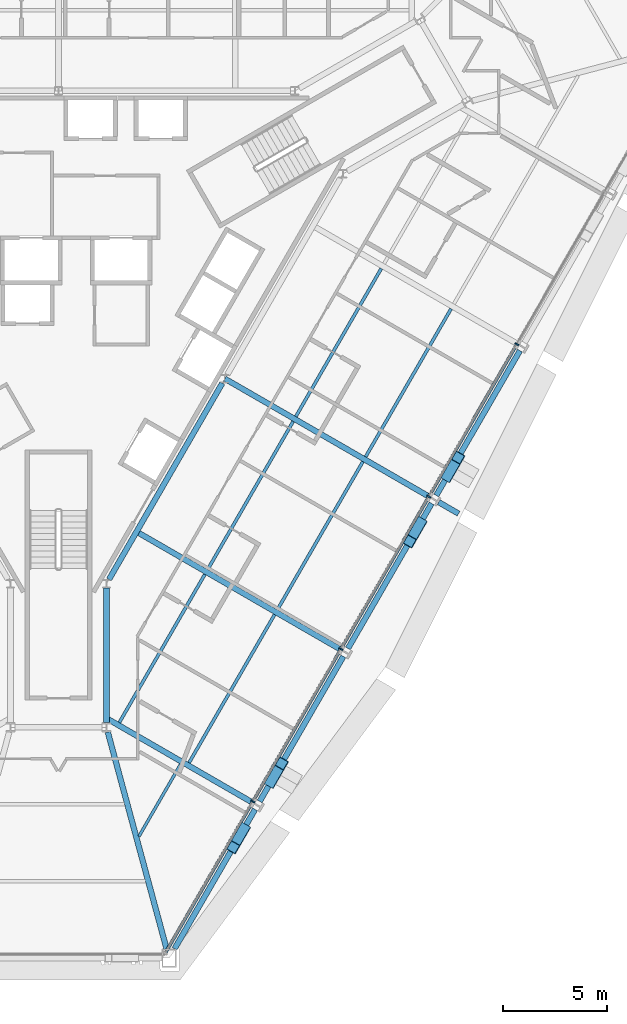
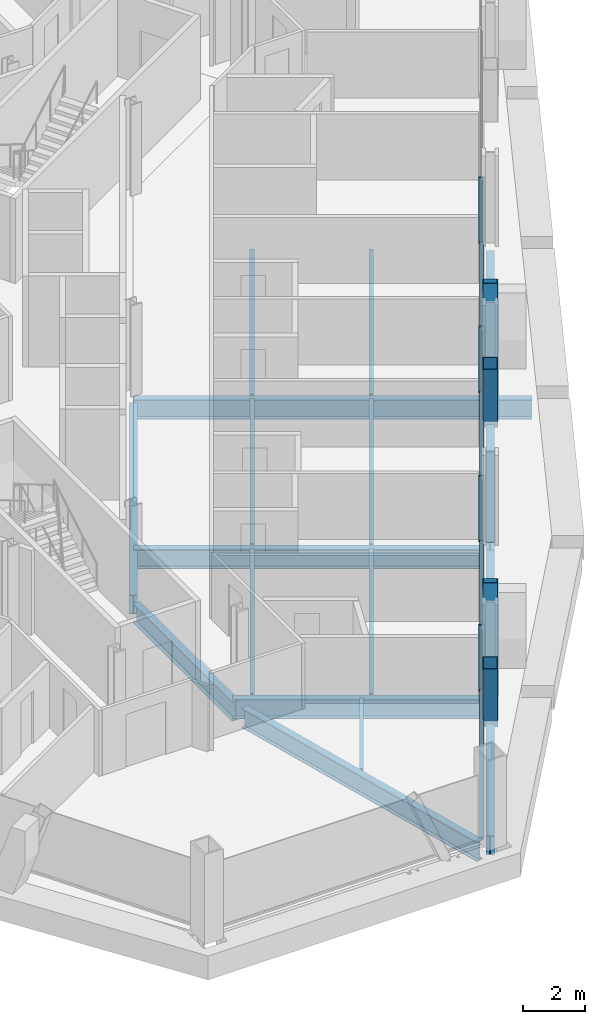
# One storey, part 4 of 17: 18 beams, 12 members, 1 element without a shape of its own.
"""IFC4 building model written with IfcOpenShell, lengths in metres."""

from ifc_helpers import new_model, si_unit, direction, frame, origin, origin_2d, place, context, subcontext, project, spatial, rectangle, hollow_rectangle, i_section, extrude, material, material_profile, profile_set, type_object, element, aggregate, save


model = new_model("IFC4")

# Units and contexts
model_context = context("Model", 3, precision=1e-05, world=origin(), true_north=direction((0.0, 1.0)))
body_context = subcontext(model_context, "Body", "Model", "MODEL_VIEW")
ifc_project = project(units=[si_unit("LENGTHUNIT", "METRE"), si_unit("AREAUNIT", "SQUARE_METRE"), si_unit("VOLUMEUNIT", "CUBIC_METRE"), si_unit("PLANEANGLEUNIT", "RADIAN"), si_unit("MASSUNIT", "GRAM", prefix="KILO")], contexts=[model_context])

# Site, building, storey
site_placement = place(None, origin())
site = spatial("IfcSite", under=ifc_project, at=site_placement, CompositionType="ELEMENT")
building_placement = place(site_placement, origin())
building = spatial("IfcBuilding", under=site, at=building_placement, Name="Verrane Prism Tower", CompositionType="ELEMENT")
storey_placement = place(building_placement, frame((0.0, 0.0, 40.39990234375)))
storey = spatial("IfcBuildingStorey", under=building, at=storey_placement, Name="L07", CompositionType="ELEMENT", Elevation=40.39990234375)

# Beams
ifc_material_1 = material(Name="Steel A992", Category="steel")
ifc_material_profile_1 = material_profile(ifc_material_1, i_section(OverallWidth=0.2666015625, OverallDepth=0.7568359375, WebThickness=0.013916015625, FlangeThickness=0.019287109375, FilletRadius=0.0166015625, at=origin_2d()), Name="W30x108")
ifc_profile_set_1 = profile_set([ifc_material_profile_1], Name="Steel A992")
beam_type_1 = type_object("IfcBeamType", Name="Core ring girder W30x108", PredefinedType="BEAM", material=ifc_profile_set_1)
beam_1_placement = place(storey_placement, frame((2.300048828125, -21.07275390625, -0.62841796875), z_axis=(0.0, 1.0, 0.0), x_axis=(-1.0, 0.0, 0.0)))
element("IfcBeam", 1, at=beam_1_placement, inside=storey, type_object=beam_type_1, Name="Core ring girder L07", PredefinedType="BEAM", context=body_context, shape_type="SweptSolid", body=[
    extrude(i_section(OverallWidth=0.2666015625, OverallDepth=0.7568359375, WebThickness=0.013916015625, FlangeThickness=0.019287109375, FilletRadius=0.0166015625, at=origin_2d()), origin(), (0.0, 0.0, 1.0), 6.4443359375),
])
beam_2_placement = place(storey_placement, frame((2.42041015625, -14.211669921875, -0.62841796875), z_axis=(0.500013103396, 0.866017838403, 0.0), x_axis=(-0.866017838403, 0.500013103396, 0.0)))
element("IfcBeam", 2, at=beam_2_placement, inside=storey, type_object=beam_type_1, Name="Core ring girder L07", PredefinedType="BEAM", context=body_context, shape_type="SweptSolid", body=[
    extrude(i_section(OverallWidth=0.2666015625, OverallDepth=0.7568359375, WebThickness=0.013916015625, FlangeThickness=0.019287109375, FilletRadius=0.0166015625, at=origin_2d()), origin(), (0.0, 0.0, 1.0), 10.858154296875),
])
ifc_material_2 = material(Name="Steel A992", Category="steel")
ifc_material_profile_2 = material_profile(ifc_material_2, i_section(OverallWidth=0.2666015625, OverallDepth=0.76708984375, WebThickness=0.014892578125, FlangeThickness=0.023681640625, FilletRadius=0.0166015625, at=origin_2d()), Name="W30x124")
ifc_profile_set_2 = profile_set([ifc_material_profile_2], Name="Steel A992")
beam_type_2 = type_object("IfcBeamType", Name="Corner girder W30x124", PredefinedType="BEAM", material=ifc_profile_set_2)
beam_3_placement = place(storey_placement, frame((5.177978515625, -31.909912109375, -0.603515625), z_axis=(-0.261780624044, 0.965127403442, 0.0), x_axis=(-0.965127403442, -0.261780624044, 0.0)))
element("IfcBeam", 3, at=beam_3_placement, inside=storey, type_object=beam_type_2, Name="Corner girder L07", PredefinedType="BEAM", context=body_context, shape_type="SweptSolid", body=[
    extrude(i_section(OverallWidth=0.2666015625, OverallDepth=0.76708984375, WebThickness=0.014892578125, FlangeThickness=0.023681640625, FilletRadius=0.0166015625, at=origin_2d()), origin(), (0.0, 0.0, 1.0), 10.7578125),
])

# Members
ifc_material_3 = material(Name="Steel A1085 Grade A", Category="steel")
ifc_material_profile_3 = material_profile(ifc_material_3, hollow_rectangle(XDim=0.508056640625, YDim=0.508056640625, WallThickness=0.025390625, InnerFilletRadius=0.0126953125, OuterFilletRadius=0.0380859375, at=origin_2d()), Name="HSS20x20x1")
ifc_profile_set_3 = profile_set([ifc_material_profile_3], Name="Steel A1085 Grade A")
member_type_1 = type_object("IfcMemberType", Name="Facade brace HSS20x20x1", PredefinedType="BRACE", material=ifc_profile_set_3)
member_1_placement = place(storey_placement, frame((8.8759765625, -26.171630859375, -0.242431640625), z_axis=(-0.159127349956, -0.275394963971, 0.948069670602), x_axis=(0.865851100168, -0.500301781265, 0.0)))
element("IfcMember", 4, at=member_1_placement, inside=storey, type_object=member_type_1, Name="Facade brace SE0 L07", PredefinedType="BRACE", context=body_context, shape_type="SweptSolid", body=[
    extrude(hollow_rectangle(XDim=0.508056640625, YDim=0.508056640625, WallThickness=0.025390625, InnerFilletRadius=0.0126953125, OuterFilletRadius=0.0380859375, at=origin_2d()), origin(), (0.0, 0.0, 1.0), 3.1728515625),
])
for number, where, z_axis, x_axis, name in (
    (5, (10.18408203125, -23.90673828125, -0.242431640625), (0.159110480568, 0.275750465356, 0.947969163965), (-0.866153397047, 0.499778243608, 0.0), "Facade brace SE1 L07"),
    (6, (17.3359375, -11.51318359375, -0.242431640625), (-0.159110480568, -0.275750465356, 0.947969163965), (0.866153397047, -0.499778243608, 0.0), "Facade brace SE2 L07"),
):
    element("IfcMember", number, at=place(storey_placement, frame(where, z_axis=z_axis, x_axis=x_axis)), inside=storey, type_object=member_type_1, Name=name, PredefinedType="BRACE", context=body_context, shape_type="SweptSolid", body=[
        extrude(hollow_rectangle(XDim=0.508056640625, YDim=0.508056640625, WallThickness=0.025390625, InnerFilletRadius=0.0126953125, OuterFilletRadius=0.0380859375, at=origin_2d()), origin(), (0.0, 0.0, 1.0), 3.173095703125),
    ])
member_2_placement = place(storey_placement, frame((18.64404296875, -9.248291015625, -0.242431640625), z_axis=(0.159127349956, 0.275394963971, 0.948069670602), x_axis=(-0.865851100168, 0.500301781265, 0.0)))
element("IfcMember", 7, at=member_2_placement, inside=storey, type_object=member_type_1, Name="Facade brace SE3 L07", PredefinedType="BRACE", context=body_context, shape_type="SweptSolid", body=[
    extrude(hollow_rectangle(XDim=0.508056640625, YDim=0.508056640625, WallThickness=0.025390625, InnerFilletRadius=0.0126953125, OuterFilletRadius=0.0380859375, at=origin_2d()), origin(), (0.0, 0.0, 1.0), 3.1728515625),
])

# Beams
ifc_material_4 = material(Name="Steel A992", Category="steel")
ifc_material_profile_4 = material_profile(ifc_material_4, i_section(OverallWidth=0.140380859375, OverallDepth=0.40380859375, WebThickness=0.007080078125, FlangeThickness=0.01123046875, FilletRadius=0.01025390625, at=origin_2d()), Name="W16x31")
ifc_profile_set_4 = profile_set([ifc_material_profile_4], Name="Steel A992")
beam_type_3 = type_object("IfcBeamType", Name="Floor beam W16x31", PredefinedType="BEAM", material=ifc_profile_set_4)
beam_4_placement = place(storey_placement, frame((3.85498046875, -26.52294921875, -0.36181640625), z_axis=(0.499985753801, 0.866033628675, 0.0), x_axis=(-0.866033628675, 0.499985753801, 0.0)))
element("IfcBeam", 8, at=beam_4_placement, inside=storey, type_object=beam_type_3, Name="Floor beam L07", PredefinedType="BEAM", context=body_context, shape_type="SweptSolid", body=[
    extrude(i_section(OverallWidth=0.140380859375, OverallDepth=0.40380859375, WebThickness=0.007080078125, FlangeThickness=0.01123046875, FilletRadius=0.01025390625, at=origin_2d()), origin(), (0.0, 0.0, 1.0), 3.986328125),
])
ifc_material_5 = material(Name="Steel A992", Category="steel")
ifc_material_profile_5 = material_profile(ifc_material_5, i_section(OverallWidth=0.15234375, OverallDepth=0.449462890625, WebThickness=0.007568359375, FlangeThickness=0.0107421875, FilletRadius=0.01025390625, at=origin_2d()), Name="W18x35")
ifc_profile_set_5 = profile_set([ifc_material_profile_5], Name="Steel A992")
beam_type_4 = type_object("IfcBeamType", Name="Floor beam W18x35", PredefinedType="BEAM", material=ifc_profile_set_5)
beam_5_placement = place(storey_placement, frame((6.255615234375, -22.997314453125, -0.384765625), z_axis=(0.499980301665, 0.866036776325, 0.0), x_axis=(-0.866036776325, 0.499980301665, 0.0)))
element("IfcBeam", 9, at=beam_5_placement, inside=storey, type_object=beam_type_4, Name="Floor beam L07", PredefinedType="BEAM", context=body_context, shape_type="SweptSolid", body=[
    extrude(i_section(OverallWidth=0.15234375, OverallDepth=0.449462890625, WebThickness=0.007568359375, FlangeThickness=0.0107421875, FilletRadius=0.01025390625, at=origin_2d()), origin(), (0.0, 0.0, 1.0), 8.196044921875),
])
beam_6_placement = place(storey_placement, frame((2.914306640625, -21.0703125, -0.384765625), z_axis=(0.499989744381, 0.866031324788, 0.0), x_axis=(-0.866031324788, 0.499989744381, 0.0)))
element("IfcBeam", 10, at=beam_6_placement, inside=storey, type_object=beam_type_4, Name="Floor beam L07", PredefinedType="BEAM", context=body_context, shape_type="SweptSolid", body=[
    extrude(i_section(OverallWidth=0.15234375, OverallDepth=0.449462890625, WebThickness=0.007568359375, FlangeThickness=0.0107421875, FilletRadius=0.01025390625, at=origin_2d()), origin(), (0.0, 0.0, 1.0), 8.196533203125),
])
for number, where, z_axis, x_axis, name in (
    (11, (10.486328125, -15.66748046875, -0.384765625), (0.499993199895, 0.866029329791, 0.0), (-0.866029329791, 0.499993199895, 0.0), "Floor beam L07"),
    (12, (7.145751953125, -13.740478515625, -0.384765625), (0.499993199895, 0.866029329791, 0.0), (-0.866029329791, 0.499993199895, 0.0), "Floor beam L07"),
):
    element("IfcBeam", number, at=place(storey_placement, frame(where, z_axis=z_axis, x_axis=x_axis)), inside=storey, type_object=beam_type_4, Name=name, PredefinedType="BEAM", context=body_context, shape_type="SweptSolid", body=[
        extrude(i_section(OverallWidth=0.15234375, OverallDepth=0.449462890625, WebThickness=0.007568359375, FlangeThickness=0.0107421875, FilletRadius=0.01025390625, at=origin_2d()), origin(), (0.0, 0.0, 1.0), 8.19580078125),
    ])
beam_7_placement = place(storey_placement, frame((14.7158203125, -8.337158203125, -0.384765625), z_axis=(0.499971080413, 0.866042099872, 0.0), x_axis=(-0.866042099872, 0.499971080413, 0.0)))
element("IfcBeam", 13, at=beam_7_placement, inside=storey, type_object=beam_type_4, Name="Floor beam L07", PredefinedType="BEAM", context=body_context, shape_type="SweptSolid", body=[
    extrude(i_section(OverallWidth=0.15234375, OverallDepth=0.449462890625, WebThickness=0.007568359375, FlangeThickness=0.0107421875, FilletRadius=0.01025390625, at=origin_2d()), origin(), (0.0, 0.0, 1.0), 8.1884765625),
])
beam_8_placement = place(storey_placement, frame((11.37158203125, -6.408203125, -0.384765625), z_axis=(0.500008883376, 0.866020274904, 0.0), x_axis=(-0.866020274904, 0.500008883376, 0.0)))
element("IfcBeam", 14, at=beam_8_placement, inside=storey, type_object=beam_type_4, Name="Floor beam L07", PredefinedType="BEAM", context=body_context, shape_type="SweptSolid", body=[
    extrude(i_section(OverallWidth=0.15234375, OverallDepth=0.449462890625, WebThickness=0.007568359375, FlangeThickness=0.0107421875, FilletRadius=0.01025390625, at=origin_2d()), origin(), (0.0, 0.0, 1.0), 8.189697265625),
])

# Curtain wall, members
ifc_material_6 = material(Name="Aluminium framed insulated glazing", Category="aluminium")
curtain_wall_type = type_object("IfcCurtainWallType", Name="Curtain wall CW-A 8400 module", PredefinedType="NOTDEFINED", material=ifc_material_6)
curtain_wall_placement = place(storey_placement, origin())
curtain_wall = element("IfcCurtainWall", 15, at=curtain_wall_placement, inside=storey, type_object=curtain_wall_type, Name="Glazed curtain wall south-east face L07", PredefinedType="NOTDEFINED")
ifc_material_7 = material(Name="Aluminium alloy 6063-T6", Category="aluminium")
ifc_material_profile_6 = material_profile(ifc_material_7, rectangle(XDim=0.199951171875, YDim=0.070068359375, at=origin_2d()), Name="Mullion 70x200 aluminium")
ifc_profile_set_6 = profile_set([ifc_material_profile_6], Name="Aluminium alloy 6063-T6")
member_type_2 = type_object("IfcMemberType", Name="Mullion 70x200 aluminium", PredefinedType="MULLION", material=ifc_profile_set_6)
member_3_placement = place(storey_placement, frame((9.311767578125, -24.853271484375, 0.0), z_axis=(0.0, 0.0, 1.0), x_axis=(-0.866025123598, 0.500000485297, 0.0)))
member_3 = element("IfcMember", 16, at=member_3_placement, type_object=member_type_2, Name="CW06.6 mullion 2", PredefinedType="MULLION", context=body_context, shape_type="SweptSolid", body=[
    extrude(rectangle(XDim=0.199951171875, YDim=0.070068359375, at=origin_2d()), origin(), (0.0, 0.0, 1.0), 2.613037109375),
])
member_4_placement = place(storey_placement, frame((13.52880859375, -17.54931640625, 0.0), z_axis=(0.0, 0.0, 1.0), x_axis=(-0.866025123598, 0.500000485297, 0.0)))
member_4 = element("IfcMember", 17, at=member_4_placement, type_object=member_type_2, Name="CW06.6 mullion 3", PredefinedType="MULLION", context=body_context, shape_type="SweptSolid", body=[
    extrude(rectangle(XDim=0.199951171875, YDim=0.070068359375, at=origin_2d()), origin(), (0.0, 0.0, 1.0), 2.613037109375),
])
member_5_placement = place(storey_placement, frame((17.74560546875, -10.24560546875, 0.0), z_axis=(0.0, 0.0, 1.0), x_axis=(-0.866025123598, 0.500000485297, 0.0)))
member_5 = element("IfcMember", 18, at=member_5_placement, type_object=member_type_2, Name="CW06.6 mullion 4", PredefinedType="MULLION", context=body_context, shape_type="SweptSolid", body=[
    extrude(rectangle(XDim=0.199951171875, YDim=0.070068359375, at=origin_2d()), origin(), (0.0, 0.0, 1.0), 2.613037109375),
])
member_6_placement = place(storey_placement, frame((21.962646484375, -2.941650390625, 0.0), z_axis=(0.0, 0.0, 1.0), x_axis=(-0.866025123598, 0.500000485297, 0.0)))
member_6 = element("IfcMember", 19, at=member_6_placement, type_object=member_type_2, Name="CW06.6 mullion 5", PredefinedType="MULLION", context=body_context, shape_type="SweptSolid", body=[
    extrude(rectangle(XDim=0.199951171875, YDim=0.070068359375, at=origin_2d()), origin(), (0.0, 0.0, 1.0), 2.613037109375),
])

# Beams
ifc_material_8 = material(Name="Steel A992", Category="steel")
ifc_material_profile_7 = material_profile(ifc_material_8, i_section(OverallWidth=0.2666015625, OverallDepth=0.76708984375, WebThickness=0.014892578125, FlangeThickness=0.023681640625, FilletRadius=0.0166015625, at=origin_2d()), Name="W30x124")
ifc_profile_set_7 = profile_set([ifc_material_profile_7], Name="Steel A992")
beam_type_5 = type_object("IfcBeamType", Name="Radial girder W30x124", PredefinedType="BEAM", material=ifc_profile_set_7)
beam_9_placement = place(storey_placement, frame((9.300048828125, -24.9072265625, -0.603515625), z_axis=(-0.866022616891, 0.50000482701, 0.0), x_axis=(-0.50000482701, -0.866022616891, 0.0)))
element("IfcBeam", 20, at=beam_9_placement, inside=storey, type_object=beam_type_5, Name="Radial girder L07", PredefinedType="BEAM", context=body_context, shape_type="SweptSolid", body=[
    extrude(i_section(OverallWidth=0.2666015625, OverallDepth=0.76708984375, WebThickness=0.014892578125, FlangeThickness=0.023681640625, FilletRadius=0.0166015625, at=origin_2d()), origin(), (0.0, 0.0, 1.0), 8.0830078125),
])
beam_10_placement = place(storey_placement, frame((13.530029296875, -17.577392578125, -0.603515625), z_axis=(-0.866021579651, 0.500006623535, 0.0), x_axis=(-0.500006623535, -0.866021579651, 0.0)))
element("IfcBeam", 21, at=beam_10_placement, inside=storey, type_object=beam_type_5, Name="Radial girder L07", PredefinedType="BEAM", context=body_context, shape_type="SweptSolid", body=[
    extrude(i_section(OverallWidth=0.2666015625, OverallDepth=0.76708984375, WebThickness=0.014892578125, FlangeThickness=0.023681640625, FilletRadius=0.0166015625, at=origin_2d()), origin(), (0.0, 0.0, 1.0), 11.303955078125),
])
beam_11_placement = place(storey_placement, frame((17.760009765625, -10.247314453125, -0.603515625), z_axis=(-0.866021191252, 0.500007296249, 0.0), x_axis=(-0.500007296249, -0.866021191252, 0.0)))
element("IfcBeam", 22, at=beam_11_placement, inside=storey, type_object=beam_type_5, Name="Radial girder L07", PredefinedType="BEAM", context=body_context, shape_type="SweptSolid", body=[
    extrude(i_section(OverallWidth=0.2666015625, OverallDepth=0.76708984375, WebThickness=0.014892578125, FlangeThickness=0.023681640625, FilletRadius=0.0166015625, at=origin_2d()), origin(), (0.0, 0.0, 1.0), 11.302001953125),
])
beam_12_placement = place(storey_placement, frame((18.21630859375, -10.5107421875, -0.603515625), z_axis=(0.866063652425, -0.499933745558, 0.0), x_axis=(0.499933745558, 0.866063652425, 0.0)))
element("IfcBeam", 23, at=beam_12_placement, inside=storey, type_object=beam_type_5, Name="Cantilever girder L07", PredefinedType="BEAM", context=body_context, shape_type="SweptSolid", body=[
    extrude(i_section(OverallWidth=0.2666015625, OverallDepth=0.76708984375, WebThickness=0.014892578125, FlangeThickness=0.023681640625, FilletRadius=0.0166015625, at=origin_2d()), origin(), (0.0, 0.0, 1.0), 1.100341796875),
])
ifc_material_9 = material(Name="Steel A992", Category="steel")
ifc_material_profile_8 = material_profile(ifc_material_9, i_section(OverallWidth=0.2666015625, OverallDepth=0.7568359375, WebThickness=0.013916015625, FlangeThickness=0.019287109375, FilletRadius=0.0166015625, at=origin_2d()), Name="W30x108")
ifc_profile_set_8 = profile_set([ifc_material_profile_8], Name="Steel A992")
beam_type_6 = type_object("IfcBeamType", Name="Spandrel beam W30x108", PredefinedType="SPANDREL", material=ifc_profile_set_8)
beam_13_placement = place(storey_placement, frame((5.56005859375, -31.909912109375, -0.538330078125), z_axis=(0.500332437573, 0.865833385769, 0.0), x_axis=(-0.865833385769, 0.500332437573, 0.0)))
element("IfcBeam", 24, at=beam_13_placement, inside=storey, type_object=beam_type_6, Name="Spandrel beam L07", PredefinedType="SPANDREL", context=body_context, shape_type="SweptSolid", body=[
    extrude(i_section(OverallWidth=0.2666015625, OverallDepth=0.7568359375, WebThickness=0.013916015625, FlangeThickness=0.019287109375, FilletRadius=0.0166015625, at=origin_2d()), origin(), (0.0, 0.0, 1.0), 7.713623046875),
])
for number, where, z_axis, x_axis, name in (
    (25, (9.640380859375, -24.8486328125, -0.538330078125), (0.499815553799, 0.866131867663, 0.0), (-0.866131867663, 0.499815553799, 0.0), "Spandrel beam L07"),
    (26, (13.87060546875, -17.5185546875, -0.538330078125), (0.499792719477, 0.86614504418, 0.0), (-0.86614504418, 0.499792719477, 0.0), "Spandrel beam L07"),
):
    element("IfcBeam", number, at=place(storey_placement, frame(where, z_axis=z_axis, x_axis=x_axis)), inside=storey, type_object=beam_type_6, Name=name, PredefinedType="SPANDREL", context=body_context, shape_type="SweptSolid", body=[
        extrude(i_section(OverallWidth=0.2666015625, OverallDepth=0.7568359375, WebThickness=0.013916015625, FlangeThickness=0.019287109375, FilletRadius=0.0166015625, at=origin_2d()), origin(), (0.0, 0.0, 1.0), 8.02099609375),
    ])
beam_14_placement = place(storey_placement, frame((18.1005859375, -10.188720703125, -0.538330078125), z_axis=(0.500320239717, 0.865840434335, 0.0), x_axis=(-0.865840434335, 0.500320239717, 0.0)))
element("IfcBeam", 27, at=beam_14_placement, inside=storey, type_object=beam_type_6, Name="Spandrel beam L07", PredefinedType="SPANDREL", context=body_context, shape_type="SweptSolid", body=[
    extrude(i_section(OverallWidth=0.2666015625, OverallDepth=0.7568359375, WebThickness=0.013916015625, FlangeThickness=0.019287109375, FilletRadius=0.0166015625, at=origin_2d()), origin(), (0.0, 0.0, 1.0), 8.012451171875),
])

# Member
ifc_material_10 = material(Name="Aluminium alloy 6063-T6", Category="aluminium")
ifc_material_profile_9 = material_profile(ifc_material_10, rectangle(XDim=0.14990234375, YDim=0.070068359375, at=origin_2d()), Name="Transom 70x150 aluminium")
ifc_profile_set_9 = profile_set([ifc_material_profile_9], Name="Aluminium alloy 6063-T6")
member_type_3 = type_object("IfcMemberType", Name="Transom 70x150 aluminium", PredefinedType="USERDEFINED", material=ifc_profile_set_9)
member_7_placement = place(storey_placement, frame((5.1298828125, -32.0966796875, 0.03515625), z_axis=(0.500016788349, 0.86601571081, 0.0), x_axis=(-0.86601571081, 0.500016788349, 0.0)))
member_7 = element("IfcMember", 28, at=member_7_placement, type_object=member_type_3, Name="CW06.6 transom 1", ObjectType="TRANSOM", PredefinedType="USERDEFINED", context=body_context, shape_type="SweptSolid", body=[
    extrude(rectangle(XDim=0.14990234375, YDim=0.070068359375, at=origin_2d()), origin(), (0.0, 0.0, 1.0), 8.328857421875),
])

member_8_placement = place(storey_placement, frame((9.329345703125, -24.822998046875, 0.03515625), z_axis=(0.500003770246, 0.866023227021, 0.0), x_axis=(-0.866023227021, 0.500003770246, 0.0)))
member_8 = element("IfcMember", 29, at=member_8_placement, type_object=member_type_3, Name="CW06.6 transom 2", ObjectType="TRANSOM", PredefinedType="USERDEFINED", context=body_context, shape_type="SweptSolid", body=[
    extrude(rectangle(XDim=0.14990234375, YDim=0.070068359375, at=origin_2d()), origin(), (0.0, 0.0, 1.0), 8.36376953125),
])

member_9_placement = place(storey_placement, frame((13.54638671875, -17.51904296875, 0.03515625), z_axis=(0.500003770246, 0.866023227021, 0.0), x_axis=(-0.866023227021, 0.500003770246, 0.0)))
member_9 = element("IfcMember", 30, at=member_9_placement, type_object=member_type_3, Name="CW06.6 transom 3", ObjectType="TRANSOM", PredefinedType="USERDEFINED", context=body_context, shape_type="SweptSolid", body=[
    extrude(rectangle(XDim=0.14990234375, YDim=0.070068359375, at=origin_2d()), origin(), (0.0, 0.0, 1.0), 8.36376953125),
])

member_10_placement = place(storey_placement, frame((17.76318359375, -10.215087890625, 0.03515625), z_axis=(0.500003770246, 0.866023227021, 0.0), x_axis=(-0.866023227021, 0.500003770246, 0.0)))
member_10 = element("IfcMember", 31, at=member_10_placement, type_object=member_type_3, Name="CW06.6 transom 4", ObjectType="TRANSOM", PredefinedType="USERDEFINED", context=body_context, shape_type="SweptSolid", body=[
    extrude(rectangle(XDim=0.14990234375, YDim=0.070068359375, at=origin_2d()), origin(), (0.0, 0.0, 1.0), 8.36376953125),
])

aggregate(curtain_wall, [member_3, member_4, member_5, member_6, member_7, member_8, member_9, member_10])

save(model, "model.ifc")
